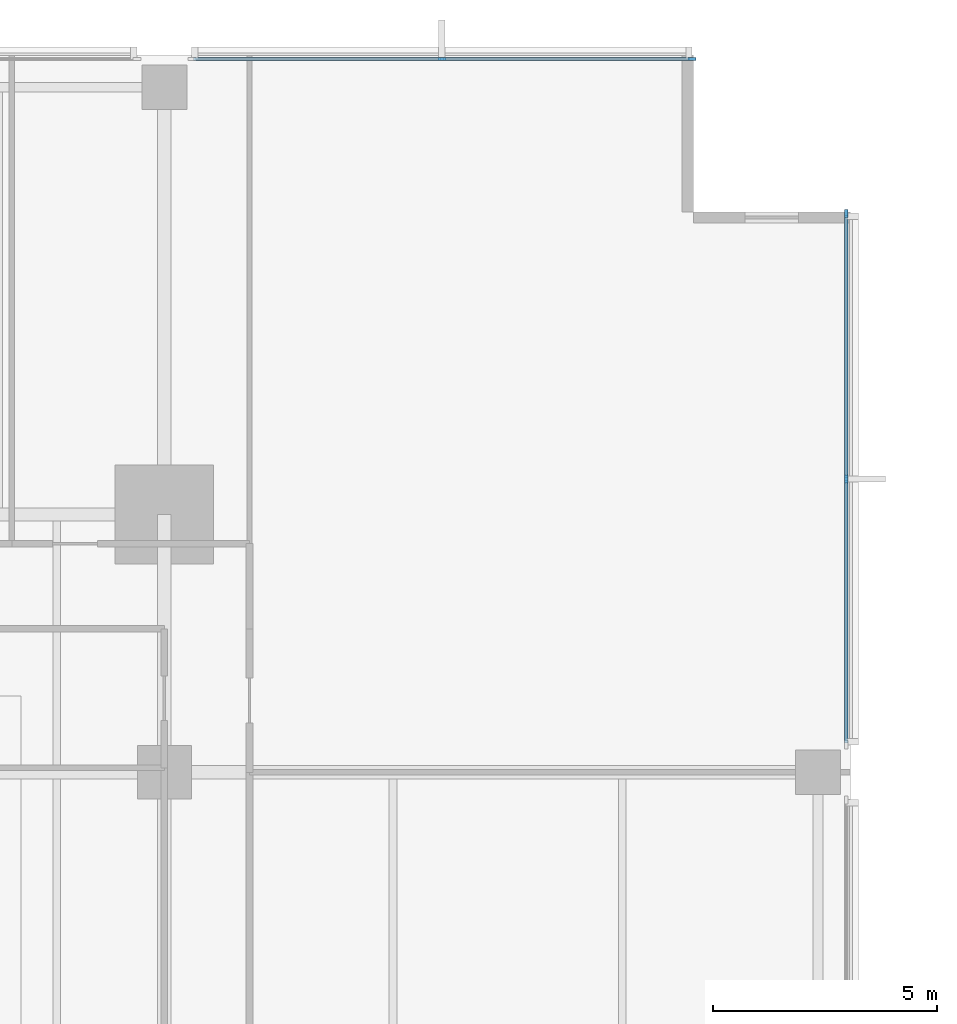
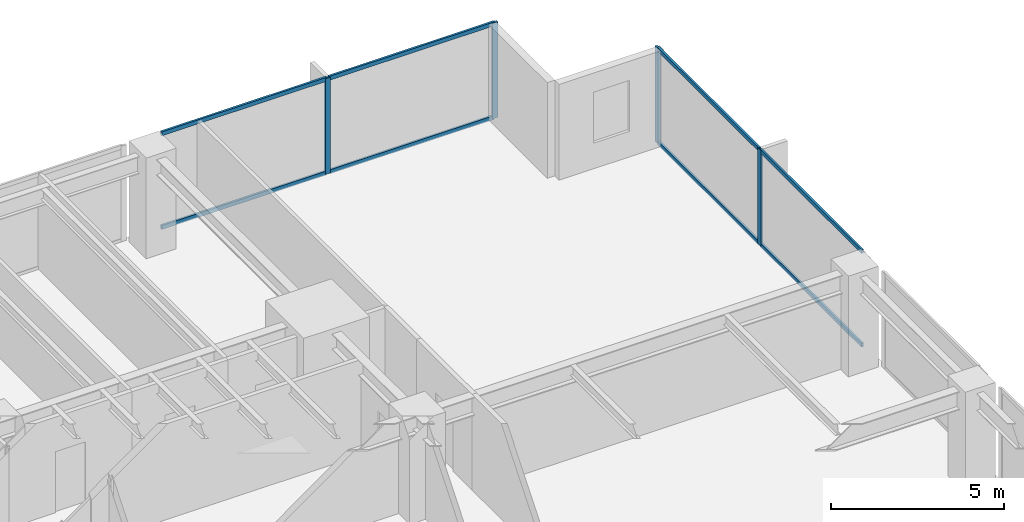
# One storey, part 6 of 15: 12 members, 2 elements without a shape of their own.
"""IFC4 building model written with IfcOpenShell, lengths in metres."""

import ifcopenshell
import ifcopenshell.guid

model = None  # the IFC model being written
_history = None  # IfcOwnerHistory: only IFC2X3 demands one
_inside = {}  # id of a spatial element -> (the spatial element, [elements in it])
_under = {}  # id of a project, library or spatial element -> (it, [spatial elements below it])
_declared = {}  # id of a project -> (the project, [libraries it declares])
_typed = {}  # id of a type object -> (the type object, [elements of that type])
_made_of = {}  # id of a material, layer set ... -> (it, [elements and type objects made of it])


def new_model(schema):
    """Start an empty IFC model of exactly this schema.

    Asked for "IFC4X3", IfcOpenShell would pick the latest addendum, in which some entities
    have other attributes; the version numbers below select the first issue.
    IFC2X3 requires an IfcOwnerHistory on every rooted entity: one is made here for all.
    """
    global model, _history
    if schema == "IFC4X3":
        model = ifcopenshell.file(schema_version=(4, 3, 0, 0))
    else:
        model = ifcopenshell.file(schema=schema)
    _inside.clear()
    _under.clear()
    _declared.clear()
    _typed.clear()
    _made_of.clear()
    _history = None
    if model.schema == "IFC2X3":
        org = make("IfcOrganization", Name="unknown")
        user = make(
            "IfcPersonAndOrganization",
            ThePerson=make("IfcPerson", FamilyName="unknown"),
            TheOrganization=org,
        )
        app = make(
            "IfcApplication",
            ApplicationDeveloper=org,
            Version="unknown",
            ApplicationFullName="unknown",
            ApplicationIdentifier="unknown",
        )
        _history = make(
            "IfcOwnerHistory",
            OwningUser=user,
            OwningApplication=app,
            ChangeAction="ADDED",
            CreationDate=0,
        )
    return model


def make(cls, **values):
    """One entity of the class cls with the attributes given. An attribute that is None is left unset."""
    return model.create_entity(
        cls, **{name: value for name, value in values.items() if value is not None}
    )


def rooted(cls, **values):
    """An entity with a GlobalId (a new one), such as an element, a storey or a relation."""
    return make(cls, GlobalId=ifcopenshell.guid.new(), OwnerHistory=_history, **values)


def si_unit(unit_type, name, prefix=None):
    """IfcSIUnit, for example si_unit("LENGTHUNIT", "METRE", prefix="MILLI")."""
    return make("IfcSIUnit", UnitType=unit_type, Prefix=prefix, Name=name)


def assignment(units):
    """IfcUnitAssignment: the units of a project."""
    return None if units is None else make("IfcUnitAssignment", Units=units)


def point(xyz):
    """IfcCartesianPoint."""
    return None if xyz is None else make("IfcCartesianPoint", Coordinates=xyz)


def direction(xyz):
    """IfcDirection."""
    return None if xyz is None else make("IfcDirection", DirectionRatios=xyz)


def frame(location, z_axis=None, x_axis=None):
    """IfcAxis2Placement3D, a coordinate frame: its origin and axes. An axis left out is left unset."""
    return make(
        "IfcAxis2Placement3D",
        Location=point(location),
        Axis=direction(z_axis),
        RefDirection=direction(x_axis),
    )


def frame_2d(location, x_axis=None):
    """IfcAxis2Placement2D, a coordinate frame in the plane: its origin and x axis."""
    return make(
        "IfcAxis2Placement2D", Location=point(location), RefDirection=direction(x_axis)
    )


def origin():
    """The frame at (0, 0, 0) with its axes left unset."""
    return frame((0.0, 0.0, 0.0))


def origin_2d():
    """The frame at (0, 0) in the plane with its x axis left unset."""
    return frame_2d((0.0, 0.0))


def place(relative_to, where):
    """IfcLocalPlacement: puts the frame where relative to a parent placement (None: the world)."""
    return make(
        "IfcLocalPlacement", PlacementRelTo=relative_to, RelativePlacement=where
    )


def context(
    kind, dimensions, precision=None, world=None, true_north=None, identifier=None
):
    """IfcGeometricRepresentationContext, for example the 3D "Model" context."""
    return make(
        "IfcGeometricRepresentationContext",
        ContextIdentifier=identifier,
        ContextType=kind,
        CoordinateSpaceDimension=dimensions,
        Precision=precision,
        WorldCoordinateSystem=world,
        TrueNorth=true_north,
    )


def subcontext(parent, identifier, kind, view, scale=None):
    """IfcGeometricRepresentationSubContext, for example "Body" below "Model"."""
    return make(
        "IfcGeometricRepresentationSubContext",
        ContextIdentifier=identifier,
        ContextType=kind,
        ParentContext=parent,
        TargetScale=scale,
        TargetView=view,
    )


def project(units=None, contexts=None):
    """IfcProject with its units and contexts."""
    return rooted(
        "IfcProject",
        Name="project",
        RepresentationContexts=contexts,
        UnitsInContext=assignment(units),
    )


def spatial(cls, under=None, at=None, **own):
    """A site, building, storey or space (cls), placed at a placement, below another one or the project."""
    s = rooted(cls, ObjectPlacement=at, **own)
    if under is not None:
        _under.setdefault(under.id(), (under, []))[1].append(s)
    return s


def profile(cls, at=None, kind="AREA", **sizes):
    """A parametric profile (cls). Its sizes go by their IFC names, for example OverallWidth=200.0."""
    return make(cls, ProfileType=kind, Position=at, **sizes)


def rectangle(**sizes):
    """IfcRectangleProfileDef."""
    return profile("IfcRectangleProfileDef", **sizes)


def extrude(swept, where, along, depth):
    """IfcExtrudedAreaSolid: the profile swept, set in the frame where, extruded along a direction by depth."""
    return make(
        "IfcExtrudedAreaSolid",
        SweptArea=swept,
        Position=where,
        ExtrudedDirection=direction(along),
        Depth=depth,
    )


def shape(context_of_items, identifier, shape_type, items):
    """IfcShapeRepresentation: the items that make up one representation, for example the "Body"."""
    return make(
        "IfcShapeRepresentation",
        ContextOfItems=context_of_items,
        RepresentationIdentifier=identifier,
        RepresentationType=shape_type,
        Items=items,
    )


def material(Name=None, Category=None):
    """IfcMaterial."""
    return make("IfcMaterial", Name=Name, Category=Category)


def layer(
    of_material, thickness, ventilated=None, Name=None, Category=None, Priority=None
):
    """IfcMaterialLayer: one layer of a wall or slab, of a material (None: an air gap)."""
    return make(
        "IfcMaterialLayer",
        Material=of_material,
        LayerThickness=thickness,
        IsVentilated=ventilated,
        Name=Name,
        Category=Category,
        Priority=Priority,
    )


def layer_set(layers, Name=None):
    """IfcMaterialLayerSet."""
    return make("IfcMaterialLayerSet", MaterialLayers=layers, LayerSetName=Name)


def material_profile(
    of_material, cross_section, Name=None, Category=None, Priority=None
):
    """IfcMaterialProfile: a cross section and its material."""
    return make(
        "IfcMaterialProfile",
        Name=Name,
        Material=of_material,
        Profile=cross_section,
        Priority=Priority,
        Category=Category,
    )


def profile_set(profiles, Name=None, composite=None):
    """IfcMaterialProfileSet."""
    return make(
        "IfcMaterialProfileSet",
        Name=Name,
        MaterialProfiles=profiles,
        CompositeProfile=composite,
    )


def made_of(thing, what):
    """Note that an element or type object is made of a material, layer set ...; save() writes the relation."""
    if what is not None:
        _made_of.setdefault(what.id(), (what, []))[1].append(thing)
    return thing


def type_object(cls, material=None, **own):
    """A type object (cls), such as IfcWallType, which elements share."""
    return made_of(rooted(cls, **own), material)


def element(
    cls,
    number,
    at=None,
    inside=None,
    cuts=None,
    type_object=None,
    material=None,
    context=None,
    identifier="Body",
    shape_type=None,
    held_by="IfcProductDefinitionShape",
    body=None,
    shapes=None,
    **own,
):
    """One element of the class cls, such as IfcWall. Its Tag is "e" and its number.

    at: its placement. inside: the storey or other place that contains it. cuts: it is an
    opening in that element (IfcRelVoidsElement). A single representation is given by context,
    identifier, shape_type and body (its items); several are given by shapes. held_by: the class
    of the entity that holds the representations. save() writes the other relations.
    """
    e = rooted(cls, Tag="e%d" % number, ObjectPlacement=at, **own)
    if body is not None:
        shapes = [shape(context, identifier, shape_type, body)]
    if shapes is not None:
        e.Representation = make(held_by, Representations=shapes)
    if inside is not None:
        _inside.setdefault(inside.id(), (inside, []))[1].append(e)
    if cuts is not None:
        rooted(
            "IfcRelVoidsElement", RelatingBuildingElement=cuts, RelatedOpeningElement=e
        )
    if type_object is not None:
        _typed.setdefault(type_object.id(), (type_object, []))[1].append(e)
    return made_of(e, material)


def aggregate(whole, parts):
    """IfcRelAggregates: a whole, such as a stair, and the parts it consists of."""
    return rooted("IfcRelAggregates", RelatingObject=whole, RelatedObjects=parts)


def save(model, path):
    """Write the relations noted so far, then the file.

    IfcRelAggregates (storeys below a building ...), IfcRelContainedInSpatialStructure (elements
    in a storey), IfcRelDefinesByType, IfcRelAssociatesMaterial and IfcRelDeclares: one each for
    every whole, place, type object, material and project.
    """
    for whole, parts in _under.values():
        aggregate(whole, parts)
    for where, things in _inside.values():
        rooted(
            "IfcRelContainedInSpatialStructure",
            RelatedElements=things,
            RelatingStructure=where,
        )
    for kind, things in _typed.values():
        rooted("IfcRelDefinesByType", RelatedObjects=things, RelatingType=kind)
    for what, things in _made_of.values():
        rooted("IfcRelAssociatesMaterial", RelatedObjects=things, RelatingMaterial=what)
    for by, libraries in _declared.values():
        rooted("IfcRelDeclares", RelatingContext=by, RelatedDefinitions=libraries)
    model.write(path)


model = new_model("IFC4")

# Units and contexts
model_context = context("Model", 3, precision=1e-05, world=origin(), true_north=direction((0.0, 1.0)))
body_context = subcontext(model_context, "Body", "Model", "MODEL_VIEW")
ifc_project = project(units=[si_unit("LENGTHUNIT", "METRE"), si_unit("AREAUNIT", "SQUARE_METRE"), si_unit("VOLUMEUNIT", "CUBIC_METRE"), si_unit("PLANEANGLEUNIT", "RADIAN"), si_unit("MASSUNIT", "GRAM", prefix="KILO")], contexts=[model_context])

# Site, building, storey
site_placement = place(None, origin())
site = spatial("IfcSite", under=ifc_project, at=site_placement, CompositionType="ELEMENT")
building_placement = place(site_placement, origin())
building = spatial("IfcBuilding", under=site, at=building_placement, Name="Kinhvarn Gate Tower", CompositionType="ELEMENT")
storey_placement = place(building_placement, frame((0.0, 0.0, 46.89990234375)))
storey = spatial("IfcBuildingStorey", under=building, at=storey_placement, Name="L11", CompositionType="ELEMENT", Elevation=46.89990234375)

# Curtain wall, members
ifc_material = material(Name="Anodised aluminium AW-6063", Category="aluminium")
ifc_layer = layer(ifc_material, 0.179931640625)
ifc_layer_set = layer_set([ifc_layer], Name="Anodised aluminium AW-6063")
curtain_wall_type = type_object("IfcCurtainWallType", Name="CW-SYS-2", PredefinedType="NOTDEFINED", material=ifc_layer_set)
curtain_wall_1_placement = place(storey_placement, origin())
curtain_wall_1 = element("IfcCurtainWall", 1, at=curtain_wall_1_placement, inside=storey, type_object=curtain_wall_type, Name="Curtain Wall CW2 (L11)", PredefinedType="NOTDEFINED")
ifc_material_profile_1 = material_profile(ifc_material, rectangle(XDim=0.070068359375, YDim=0.179931640625, at=origin_2d()), Name="ALU 70x180")
ifc_profile_set_1 = profile_set([ifc_material_profile_1], Name="Anodised aluminium AW-6063")
member_type_1 = type_object("IfcMemberType", Name="CW-MUL-180", PredefinedType="MULLION", material=ifc_profile_set_1)
member_1_placement = place(storey_placement, frame((49.965087890625, 47.909912109375, 0.0), z_axis=(0.0, 0.0, 1.0), x_axis=(0.0, -1.0, 0.0)))
member_1 = element("IfcMember", 2, at=member_1_placement, type_object=member_type_1, Name="CW2 mullion 1", PredefinedType="MULLION", context=body_context, shape_type="SweptSolid", body=[
    extrude(rectangle(XDim=0.070068359375, YDim=0.179931640625, at=origin_2d()), origin(), (0.0, 0.0, 1.0), 3.3701171875),
])
member_2_placement = place(storey_placement, frame((44.389892578125, 47.909912109375, 0.0), z_axis=(0.0, 0.0, 1.0), x_axis=(0.0, -1.0, 0.0)))
member_2 = element("IfcMember", 3, at=member_2_placement, type_object=member_type_1, Name="CW2 mullion 2", PredefinedType="MULLION", context=body_context, shape_type="SweptSolid", body=[
    extrude(rectangle(XDim=0.070068359375, YDim=0.179931640625, at=origin_2d()), origin(), (0.0, 0.0, 1.0), 3.3701171875),
])

curtain_wall_2_placement = place(storey_placement, origin())
curtain_wall_2 = element("IfcCurtainWall", 4, at=curtain_wall_2_placement, inside=storey, type_object=curtain_wall_type, Name="Curtain Wall CW2 (L11)", PredefinedType="NOTDEFINED")
member_3_placement = place(storey_placement, frame((53.409912109375, 38.5400390625, 0.0), z_axis=(0.0, 0.0, 1.0), x_axis=(-1.0, 0.0, 0.0)))
member_3 = element("IfcMember", 5, at=member_3_placement, type_object=member_type_1, Name="CW2 mullion 2", PredefinedType="MULLION", context=body_context, shape_type="SweptSolid", body=[
    extrude(rectangle(XDim=0.070068359375, YDim=0.179931640625, at=origin_2d()), origin(), (0.0, 0.0, 1.0), 3.3701171875),
])
member_4_placement = place(storey_placement, frame((53.409912109375, 44.465087890625, 0.0), z_axis=(0.0, 0.0, 1.0), x_axis=(-1.0, 0.0, 0.0)))
member_4 = element("IfcMember", 6, at=member_4_placement, type_object=member_type_1, Name="CW2 mullion 3", PredefinedType="MULLION", context=body_context, shape_type="SweptSolid", body=[
    extrude(rectangle(XDim=0.070068359375, YDim=0.179931640625, at=origin_2d()), origin(), (0.0, 0.0, 1.0), 3.3701171875),
])

# Member
ifc_material_profile_2 = material_profile(ifc_material, rectangle(XDim=0.070068359375, YDim=0.139892578125, at=origin_2d()), Name="ALU 70x140")
ifc_profile_set_2 = profile_set([ifc_material_profile_2], Name="Anodised aluminium AW-6063")
member_type_2 = type_object("IfcMemberType", Name="CW-TRN-140", PredefinedType="USERDEFINED", material=ifc_profile_set_2)
member_5_placement = place(storey_placement, frame((49.929931640625, 47.909912109375, 0.03515625), z_axis=(-1.0, 0.0, 0.0), x_axis=(0.0, -1.0, 0.0)))
member_5 = element("IfcMember", 7, at=member_5_placement, type_object=member_type_2, Name="CW2 transom 1.1", ObjectType="TRANSOM", PredefinedType="USERDEFINED", context=body_context, shape_type="SweptSolid", body=[
    extrude(rectangle(XDim=0.070068359375, YDim=0.139892578125, at=origin_2d()), origin(), (0.0, 0.0, 1.0), 5.5048828125),
])

member_6_placement = place(storey_placement, frame((49.929931640625, 47.909912109375, 3.335205078125), z_axis=(-1.0, 0.0, 0.0), x_axis=(0.0, -1.0, 0.0)))
member_6 = element("IfcMember", 8, at=member_6_placement, type_object=member_type_2, Name="CW2 transom 1.2", ObjectType="TRANSOM", PredefinedType="USERDEFINED", context=body_context, shape_type="SweptSolid", body=[
    extrude(rectangle(XDim=0.070068359375, YDim=0.139892578125, at=origin_2d()), origin(), (0.0, 0.0, 1.0), 5.5048828125),
])

member_7_placement = place(storey_placement, frame((44.35498046875, 47.909912109375, 0.03515625), z_axis=(-1.0, 0.0, 0.0), x_axis=(0.0, -1.0, 0.0)))
member_7 = element("IfcMember", 9, at=member_7_placement, type_object=member_type_2, Name="CW2 transom 2.1", ObjectType="TRANSOM", PredefinedType="USERDEFINED", context=body_context, shape_type="SweptSolid", body=[
    extrude(rectangle(XDim=0.070068359375, YDim=0.139892578125, at=origin_2d()), origin(), (0.0, 0.0, 1.0), 5.5048828125),
])

member_8_placement = place(storey_placement, frame((44.35498046875, 47.909912109375, 3.335205078125), z_axis=(-1.0, 0.0, 0.0), x_axis=(0.0, -1.0, 0.0)))
member_8 = element("IfcMember", 10, at=member_8_placement, type_object=member_type_2, Name="CW2 transom 2.2", ObjectType="TRANSOM", PredefinedType="USERDEFINED", context=body_context, shape_type="SweptSolid", body=[
    extrude(rectangle(XDim=0.070068359375, YDim=0.139892578125, at=origin_2d()), origin(), (0.0, 0.0, 1.0), 5.5048828125),
])

aggregate(curtain_wall_1, [member_1, member_2, member_5, member_6, member_7, member_8])

member_9_placement = place(storey_placement, frame((53.409912109375, 32.64990234375, 0.03515625), z_axis=(0.0, 1.0, 0.0), x_axis=(-1.0, 0.0, 0.0)))
member_9 = element("IfcMember", 11, at=member_9_placement, type_object=member_type_2, Name="CW2 transom 1.1", ObjectType="TRANSOM", PredefinedType="USERDEFINED", context=body_context, shape_type="SweptSolid", body=[
    extrude(rectangle(XDim=0.070068359375, YDim=0.139892578125, at=origin_2d()), origin(), (0.0, 0.0, 1.0), 5.85498046875),
])

member_10_placement = place(storey_placement, frame((53.409912109375, 32.64990234375, 3.335205078125), z_axis=(0.0, 1.0, 0.0), x_axis=(-1.0, 0.0, 0.0)))
member_10 = element("IfcMember", 12, at=member_10_placement, type_object=member_type_2, Name="CW2 transom 1.2", ObjectType="TRANSOM", PredefinedType="USERDEFINED", context=body_context, shape_type="SweptSolid", body=[
    extrude(rectangle(XDim=0.070068359375, YDim=0.139892578125, at=origin_2d()), origin(), (0.0, 0.0, 1.0), 5.85498046875),
])

member_11_placement = place(storey_placement, frame((53.409912109375, 38.574951171875, 0.03515625), z_axis=(0.0, 1.0, 0.0), x_axis=(-1.0, 0.0, 0.0)))
member_11 = element("IfcMember", 13, at=member_11_placement, type_object=member_type_2, Name="CW2 transom 2.1", ObjectType="TRANSOM", PredefinedType="USERDEFINED", context=body_context, shape_type="SweptSolid", body=[
    extrude(rectangle(XDim=0.070068359375, YDim=0.139892578125, at=origin_2d()), origin(), (0.0, 0.0, 1.0), 5.85498046875),
])

member_12_placement = place(storey_placement, frame((53.409912109375, 38.574951171875, 3.335205078125), z_axis=(0.0, 1.0, 0.0), x_axis=(-1.0, 0.0, 0.0)))
member_12 = element("IfcMember", 14, at=member_12_placement, type_object=member_type_2, Name="CW2 transom 2.2", ObjectType="TRANSOM", PredefinedType="USERDEFINED", context=body_context, shape_type="SweptSolid", body=[
    extrude(rectangle(XDim=0.070068359375, YDim=0.139892578125, at=origin_2d()), origin(), (0.0, 0.0, 1.0), 5.85498046875),
])

aggregate(curtain_wall_2, [member_3, member_4, member_9, member_10, member_11, member_12])

save(model, "model.ifc")
